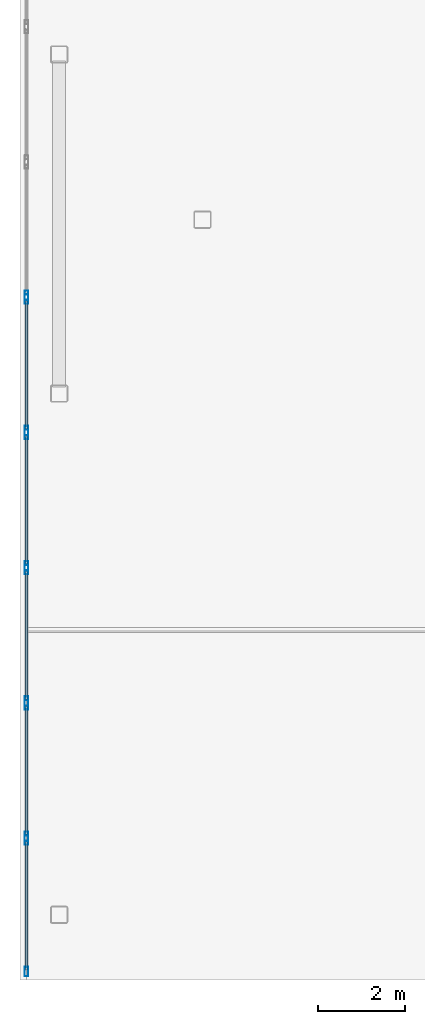
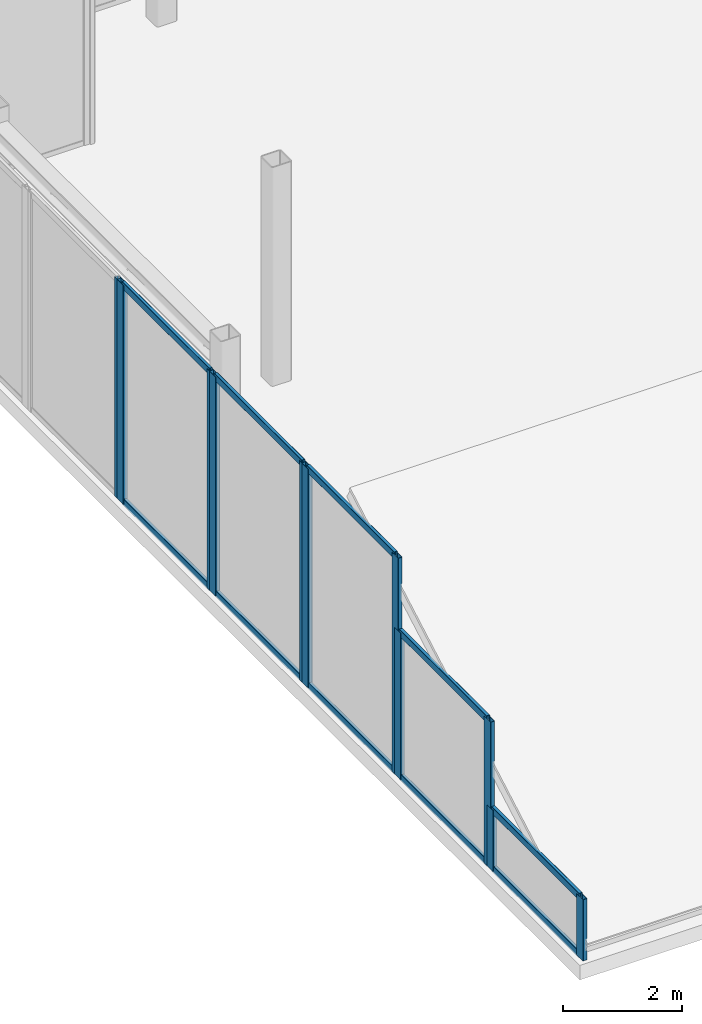
# One storey, part 2 of 12: 21 members, 6 elements without a shape of their own.
"""IFC4 building model written with IfcOpenShell, lengths in metres."""

from ifc_helpers import new_model, si_unit, direction, frame, origin, origin_2d, place, context, subcontext, project, spatial, hollow_rectangle, extrude, material, layer, layer_set, material_profile, profile_set, type_object, element, aggregate, save


model = new_model("IFC4")

# Units and contexts
model_context = context("Model", 3, precision=1e-05, world=origin(), true_north=direction((0.0, 1.0)))
body_context = subcontext(model_context, "Body", "Model", "MODEL_VIEW")
ifc_project = project(units=[si_unit("LENGTHUNIT", "METRE"), si_unit("AREAUNIT", "SQUARE_METRE"), si_unit("VOLUMEUNIT", "CUBIC_METRE"), si_unit("PLANEANGLEUNIT", "RADIAN"), si_unit("MASSUNIT", "GRAM", prefix="KILO")], contexts=[model_context])

# Site, building, storey
site_placement = place(None, origin())
site = spatial("IfcSite", under=ifc_project, at=site_placement, CompositionType="ELEMENT")
building_placement = place(site_placement, origin())
building = spatial("IfcBuilding", under=site, at=building_placement, Name="Tarnavaz Court Tower", CompositionType="ELEMENT")
storey_placement = place(building_placement, frame((0.0, 0.0, 299.550048828125)))
storey = spatial("IfcBuildingStorey", under=building, at=storey_placement, Name="C05", CompositionType="ELEMENT", Elevation=299.550048828125)

# Curtain wall, members
ifc_material_1 = material(Name="Anodised Aluminium 6063-T6 and Solar Low-E Glazing", Category="aluminium")
ifc_layer = layer(ifc_material_1, 0.2099609375)
ifc_layer_set = layer_set([ifc_layer], Name="Anodised Aluminium 6063-T6 and Solar Low-E Glazing")
curtain_wall_type = type_object("IfcCurtainWallType", Name="CW-SYS-06", PredefinedType="NOTDEFINED", material=ifc_layer_set)
curtain_wall_1_placement = place(storey_placement, origin())
curtain_wall_1 = element("IfcCurtainWall", 1, at=curtain_wall_1_placement, inside=storey, type_object=curtain_wall_type, Name="C05 Slanted Crown Terracotta Curtain Wall 18", PredefinedType="NOTDEFINED")
ifc_material_2 = material(Name="Anodised Aluminium 6063-T6", Category="aluminium")
ifc_material_profile_1 = material_profile(ifc_material_2, hollow_rectangle(XDim=0.0849609375, YDim=0.219970703125, WallThickness=0.006103515625, InnerFilletRadius=0.006103515625, OuterFilletRadius=0.011962890625, at=origin_2d()), Name="ALU RHS 220X85X6")
ifc_profile_set_1 = profile_set([ifc_material_profile_1], Name="Anodised Aluminium 6063-T6")
member_type_1 = type_object("IfcMemberType", Name="CW-MUL-220", PredefinedType="MULLION", material=ifc_profile_set_1)
member_1_placement = place(storey_placement, frame((-22.64990234375, -7.3076171875, 0.0), z_axis=(0.0, 0.0, 1.0), x_axis=(-1.0, 0.0, 0.0)))
member_1 = element("IfcMember", 2, at=member_1_placement, type_object=member_type_1, Name="CW mullion 1", PredefinedType="MULLION", context=body_context, shape_type="SweptSolid", body=[
    extrude(hollow_rectangle(XDim=0.0849609375, YDim=0.219970703125, WallThickness=0.006103515625, InnerFilletRadius=0.006103515625, OuterFilletRadius=0.011962890625, at=origin_2d()), origin(), (0.0, 0.0, 1.0), 1.25830078125),
])
member_2_placement = place(storey_placement, frame((-22.64990234375, -4.280029296875, 0.0), z_axis=(0.0, 0.0, 1.0), x_axis=(-1.0, 0.0, 0.0)))
member_2 = element("IfcMember", 3, at=member_2_placement, type_object=member_type_1, Name="CW mullion 2", PredefinedType="MULLION", context=body_context, shape_type="SweptSolid", body=[
    extrude(hollow_rectangle(XDim=0.0849609375, YDim=0.219970703125, WallThickness=0.006103515625, InnerFilletRadius=0.006103515625, OuterFilletRadius=0.011962890625, at=origin_2d()), origin(), (0.0, 0.0, 1.0), 1.25830078125),
])

curtain_wall_2_placement = place(storey_placement, origin())
curtain_wall_2 = element("IfcCurtainWall", 4, at=curtain_wall_2_placement, inside=storey, type_object=curtain_wall_type, Name="C05 Slanted Crown Terracotta Curtain Wall 19", PredefinedType="NOTDEFINED")
member_3_placement = place(storey_placement, frame((-22.64990234375, -4.195068359375, 0.0), z_axis=(0.0, 0.0, 1.0), x_axis=(-1.0, 0.0, 0.0)))
member_3 = element("IfcMember", 5, at=member_3_placement, type_object=member_type_1, Name="CW mullion 1", PredefinedType="MULLION", context=body_context, shape_type="SweptSolid", body=[
    extrude(hollow_rectangle(XDim=0.0849609375, YDim=0.219970703125, WallThickness=0.006103515625, InnerFilletRadius=0.006103515625, OuterFilletRadius=0.011962890625, at=origin_2d()), origin(), (0.0, 0.0, 1.0), 3.0185546875),
])
member_4_placement = place(storey_placement, frame((-22.64990234375, -1.16748046875, 0.0), z_axis=(0.0, 0.0, 1.0), x_axis=(-1.0, 0.0, 0.0)))
member_4 = element("IfcMember", 6, at=member_4_placement, type_object=member_type_1, Name="CW mullion 2", PredefinedType="MULLION", context=body_context, shape_type="SweptSolid", body=[
    extrude(hollow_rectangle(XDim=0.0849609375, YDim=0.219970703125, WallThickness=0.006103515625, InnerFilletRadius=0.006103515625, OuterFilletRadius=0.011962890625, at=origin_2d()), origin(), (0.0, 0.0, 1.0), 3.0185546875),
])

curtain_wall_3_placement = place(storey_placement, origin())
curtain_wall_3 = element("IfcCurtainWall", 7, at=curtain_wall_3_placement, inside=storey, type_object=curtain_wall_type, Name="C05 Slanted Crown Terracotta Curtain Wall 20", PredefinedType="NOTDEFINED")
member_5_placement = place(storey_placement, frame((-22.64990234375, -1.08251953125, 0.0), z_axis=(0.0, 0.0, 1.0), x_axis=(-1.0, 0.0, 0.0)))
member_5 = element("IfcMember", 8, at=member_5_placement, type_object=member_type_1, Name="CW mullion 1", PredefinedType="MULLION", context=body_context, shape_type="SweptSolid", body=[
    extrude(hollow_rectangle(XDim=0.0849609375, YDim=0.219970703125, WallThickness=0.006103515625, InnerFilletRadius=0.006103515625, OuterFilletRadius=0.011962890625, at=origin_2d()), origin(), (0.0, 0.0, 1.0), 4.5),
])
member_6_placement = place(storey_placement, frame((-22.64990234375, 1.945068359375, 0.0), z_axis=(0.0, 0.0, 1.0), x_axis=(-1.0, 0.0, 0.0)))
member_6 = element("IfcMember", 9, at=member_6_placement, type_object=member_type_1, Name="CW mullion 2", PredefinedType="MULLION", context=body_context, shape_type="SweptSolid", body=[
    extrude(hollow_rectangle(XDim=0.0849609375, YDim=0.219970703125, WallThickness=0.006103515625, InnerFilletRadius=0.006103515625, OuterFilletRadius=0.011962890625, at=origin_2d()), origin(), (0.0, 0.0, 1.0), 4.5),
])

curtain_wall_4_placement = place(storey_placement, origin())
curtain_wall_4 = element("IfcCurtainWall", 10, at=curtain_wall_4_placement, inside=storey, type_object=curtain_wall_type, Name="C05 Slanted Crown Terracotta Curtain Wall 21", PredefinedType="NOTDEFINED")
member_7_placement = place(storey_placement, frame((-22.64990234375, 2.030029296875, 0.0), z_axis=(0.0, 0.0, 1.0), x_axis=(-1.0, 0.0, 0.0)))
member_7 = element("IfcMember", 11, at=member_7_placement, type_object=member_type_1, Name="CW mullion 1", PredefinedType="MULLION", context=body_context, shape_type="SweptSolid", body=[
    extrude(hollow_rectangle(XDim=0.0849609375, YDim=0.219970703125, WallThickness=0.006103515625, InnerFilletRadius=0.006103515625, OuterFilletRadius=0.011962890625, at=origin_2d()), origin(), (0.0, 0.0, 1.0), 4.5),
])
member_8_placement = place(storey_placement, frame((-22.64990234375, 5.0576171875, 0.0), z_axis=(0.0, 0.0, 1.0), x_axis=(-1.0, 0.0, 0.0)))
member_8 = element("IfcMember", 12, at=member_8_placement, type_object=member_type_1, Name="CW mullion 2", PredefinedType="MULLION", context=body_context, shape_type="SweptSolid", body=[
    extrude(hollow_rectangle(XDim=0.0849609375, YDim=0.219970703125, WallThickness=0.006103515625, InnerFilletRadius=0.006103515625, OuterFilletRadius=0.011962890625, at=origin_2d()), origin(), (0.0, 0.0, 1.0), 4.5),
])

curtain_wall_5_placement = place(storey_placement, origin())
curtain_wall_5 = element("IfcCurtainWall", 13, at=curtain_wall_5_placement, inside=storey, type_object=curtain_wall_type, Name="C05 Slanted Crown Terracotta Curtain Wall 22", PredefinedType="NOTDEFINED")
member_9_placement = place(storey_placement, frame((-22.64990234375, 5.142578125, 0.0), z_axis=(0.0, 0.0, 1.0), x_axis=(-1.0, 0.0, 0.0)))
member_9 = element("IfcMember", 14, at=member_9_placement, type_object=member_type_1, Name="CW mullion 1", PredefinedType="MULLION", context=body_context, shape_type="SweptSolid", body=[
    extrude(hollow_rectangle(XDim=0.0849609375, YDim=0.219970703125, WallThickness=0.006103515625, InnerFilletRadius=0.006103515625, OuterFilletRadius=0.011962890625, at=origin_2d()), origin(), (0.0, 0.0, 1.0), 4.5),
])
member_10_placement = place(storey_placement, frame((-22.64990234375, 8.169921875, 0.0), z_axis=(0.0, 0.0, 1.0), x_axis=(-1.0, 0.0, 0.0)))
member_10 = element("IfcMember", 15, at=member_10_placement, type_object=member_type_1, Name="CW mullion 2", PredefinedType="MULLION", context=body_context, shape_type="SweptSolid", body=[
    extrude(hollow_rectangle(XDim=0.0849609375, YDim=0.219970703125, WallThickness=0.006103515625, InnerFilletRadius=0.006103515625, OuterFilletRadius=0.011962890625, at=origin_2d()), origin(), (0.0, 0.0, 1.0), 4.5),
])

# Curtain wall, member
curtain_wall_6_placement = place(storey_placement, origin())
curtain_wall_6 = element("IfcCurtainWall", 16, at=curtain_wall_6_placement, inside=storey, type_object=curtain_wall_type, Name="C05 Slanted Crown Terracotta Curtain Wall 23", PredefinedType="NOTDEFINED")
member_11_placement = place(storey_placement, frame((-22.64990234375, 8.2548828125, 0.0), z_axis=(0.0, 0.0, 1.0), x_axis=(-1.0, 0.0, 0.0)))
member_11 = element("IfcMember", 17, at=member_11_placement, type_object=member_type_1, Name="CW mullion 1", PredefinedType="MULLION", context=body_context, shape_type="SweptSolid", body=[
    extrude(hollow_rectangle(XDim=0.0849609375, YDim=0.219970703125, WallThickness=0.006103515625, InnerFilletRadius=0.006103515625, OuterFilletRadius=0.011962890625, at=origin_2d()), origin(), (0.0, 0.0, 1.0), 4.5),
])
aggregate(curtain_wall_6, [member_11])

# Member
ifc_material_profile_2 = material_profile(ifc_material_2, hollow_rectangle(XDim=0.06494140625, YDim=0.139892578125, WallThickness=0.00390625, InnerFilletRadius=0.00390625, OuterFilletRadius=0.008056640625, at=origin_2d()), Name="ALU RHS 140X65X4")
ifc_profile_set_2 = profile_set([ifc_material_profile_2], Name="Anodised Aluminium 6063-T6")
member_type_2 = type_object("IfcMemberType", Name="CW-TRN-140", PredefinedType="USERDEFINED", material=ifc_profile_set_2)
member_12_placement = place(storey_placement, frame((-22.64990234375, -7.264892578125, 0.032470703125), z_axis=(0.0, 1.0, 0.0), x_axis=(-1.0, 0.0, 0.0)))
member_12 = element("IfcMember", 18, at=member_12_placement, type_object=member_type_2, Name="CW transom 1.1", ObjectType="TRANSOM", PredefinedType="USERDEFINED", context=body_context, shape_type="SweptSolid", body=[
    extrude(hollow_rectangle(XDim=0.06494140625, YDim=0.139892578125, WallThickness=0.00390625, InnerFilletRadius=0.00390625, OuterFilletRadius=0.008056640625, at=origin_2d()), origin(), (0.0, 0.0, 1.0), 2.9423828125),
])

member_13_placement = place(storey_placement, frame((-22.64990234375, -7.264892578125, 1.225830078125), z_axis=(0.0, 1.0, 0.0), x_axis=(-1.0, 0.0, 0.0)))
member_13 = element("IfcMember", 19, at=member_13_placement, type_object=member_type_2, Name="CW transom 1.2", ObjectType="TRANSOM", PredefinedType="USERDEFINED", context=body_context, shape_type="SweptSolid", body=[
    extrude(hollow_rectangle(XDim=0.06494140625, YDim=0.139892578125, WallThickness=0.00390625, InnerFilletRadius=0.00390625, OuterFilletRadius=0.008056640625, at=origin_2d()), origin(), (0.0, 0.0, 1.0), 2.9423828125),
])

aggregate(curtain_wall_1, [member_1, member_2, member_12, member_13])

member_14_placement = place(storey_placement, frame((-22.64990234375, -4.152587890625, 0.032470703125), z_axis=(0.0, 1.0, 0.0), x_axis=(-1.0, 0.0, 0.0)))
member_14 = element("IfcMember", 20, at=member_14_placement, type_object=member_type_2, Name="CW transom 1.1", ObjectType="TRANSOM", PredefinedType="USERDEFINED", context=body_context, shape_type="SweptSolid", body=[
    extrude(hollow_rectangle(XDim=0.06494140625, YDim=0.139892578125, WallThickness=0.00390625, InnerFilletRadius=0.00390625, OuterFilletRadius=0.008056640625, at=origin_2d()), origin(), (0.0, 0.0, 1.0), 2.942626953125),
])

member_15_placement = place(storey_placement, frame((-22.64990234375, -4.152587890625, 2.986083984375), z_axis=(0.0, 1.0, 0.0), x_axis=(-1.0, 0.0, 0.0)))
member_15 = element("IfcMember", 21, at=member_15_placement, type_object=member_type_2, Name="CW transom 1.2", ObjectType="TRANSOM", PredefinedType="USERDEFINED", context=body_context, shape_type="SweptSolid", body=[
    extrude(hollow_rectangle(XDim=0.06494140625, YDim=0.139892578125, WallThickness=0.00390625, InnerFilletRadius=0.00390625, OuterFilletRadius=0.008056640625, at=origin_2d()), origin(), (0.0, 0.0, 1.0), 2.942626953125),
])

aggregate(curtain_wall_2, [member_3, member_4, member_14, member_15])

member_16_placement = place(storey_placement, frame((-22.64990234375, -1.0400390625, 0.032470703125), z_axis=(0.0, 1.0, 0.0), x_axis=(-1.0, 0.0, 0.0)))
member_16 = element("IfcMember", 22, at=member_16_placement, type_object=member_type_2, Name="CW transom 1.1", ObjectType="TRANSOM", PredefinedType="USERDEFINED", context=body_context, shape_type="SweptSolid", body=[
    extrude(hollow_rectangle(XDim=0.06494140625, YDim=0.139892578125, WallThickness=0.00390625, InnerFilletRadius=0.00390625, OuterFilletRadius=0.008056640625, at=origin_2d()), origin(), (0.0, 0.0, 1.0), 2.942626953125),
])

member_17_placement = place(storey_placement, frame((-22.64990234375, -1.0400390625, 4.467529296875), z_axis=(0.0, 1.0, 0.0), x_axis=(-1.0, 0.0, 0.0)))
member_17 = element("IfcMember", 23, at=member_17_placement, type_object=member_type_2, Name="CW transom 1.2", ObjectType="TRANSOM", PredefinedType="USERDEFINED", context=body_context, shape_type="SweptSolid", body=[
    extrude(hollow_rectangle(XDim=0.06494140625, YDim=0.139892578125, WallThickness=0.00390625, InnerFilletRadius=0.00390625, OuterFilletRadius=0.008056640625, at=origin_2d()), origin(), (0.0, 0.0, 1.0), 2.942626953125),
])

aggregate(curtain_wall_3, [member_5, member_6, member_16, member_17])

member_18_placement = place(storey_placement, frame((-22.64990234375, 2.072509765625, 0.032470703125), z_axis=(0.0, 1.0, 0.0), x_axis=(-1.0, 0.0, 0.0)))
member_18 = element("IfcMember", 24, at=member_18_placement, type_object=member_type_2, Name="CW transom 1.1", ObjectType="TRANSOM", PredefinedType="USERDEFINED", context=body_context, shape_type="SweptSolid", body=[
    extrude(hollow_rectangle(XDim=0.06494140625, YDim=0.139892578125, WallThickness=0.00390625, InnerFilletRadius=0.00390625, OuterFilletRadius=0.008056640625, at=origin_2d()), origin(), (0.0, 0.0, 1.0), 2.9423828125),
])

member_19_placement = place(storey_placement, frame((-22.64990234375, 2.072509765625, 4.467529296875), z_axis=(0.0, 1.0, 0.0), x_axis=(-1.0, 0.0, 0.0)))
member_19 = element("IfcMember", 25, at=member_19_placement, type_object=member_type_2, Name="CW transom 1.2", ObjectType="TRANSOM", PredefinedType="USERDEFINED", context=body_context, shape_type="SweptSolid", body=[
    extrude(hollow_rectangle(XDim=0.06494140625, YDim=0.139892578125, WallThickness=0.00390625, InnerFilletRadius=0.00390625, OuterFilletRadius=0.008056640625, at=origin_2d()), origin(), (0.0, 0.0, 1.0), 2.9423828125),
])

aggregate(curtain_wall_4, [member_7, member_8, member_18, member_19])

member_20_placement = place(storey_placement, frame((-22.64990234375, 5.18505859375, 0.032470703125), z_axis=(0.0, 1.0, 0.0), x_axis=(-1.0, 0.0, 0.0)))
member_20 = element("IfcMember", 26, at=member_20_placement, type_object=member_type_2, Name="CW transom 1.1", ObjectType="TRANSOM", PredefinedType="USERDEFINED", context=body_context, shape_type="SweptSolid", body=[
    extrude(hollow_rectangle(XDim=0.06494140625, YDim=0.139892578125, WallThickness=0.00390625, InnerFilletRadius=0.00390625, OuterFilletRadius=0.008056640625, at=origin_2d()), origin(), (0.0, 0.0, 1.0), 2.9423828125),
])

member_21_placement = place(storey_placement, frame((-22.64990234375, 5.18505859375, 4.467529296875), z_axis=(0.0, 1.0, 0.0), x_axis=(-1.0, 0.0, 0.0)))
member_21 = element("IfcMember", 27, at=member_21_placement, type_object=member_type_2, Name="CW transom 1.2", ObjectType="TRANSOM", PredefinedType="USERDEFINED", context=body_context, shape_type="SweptSolid", body=[
    extrude(hollow_rectangle(XDim=0.06494140625, YDim=0.139892578125, WallThickness=0.00390625, InnerFilletRadius=0.00390625, OuterFilletRadius=0.008056640625, at=origin_2d()), origin(), (0.0, 0.0, 1.0), 2.9423828125),
])

aggregate(curtain_wall_5, [member_9, member_10, member_20, member_21])

save(model, "model.ifc")
